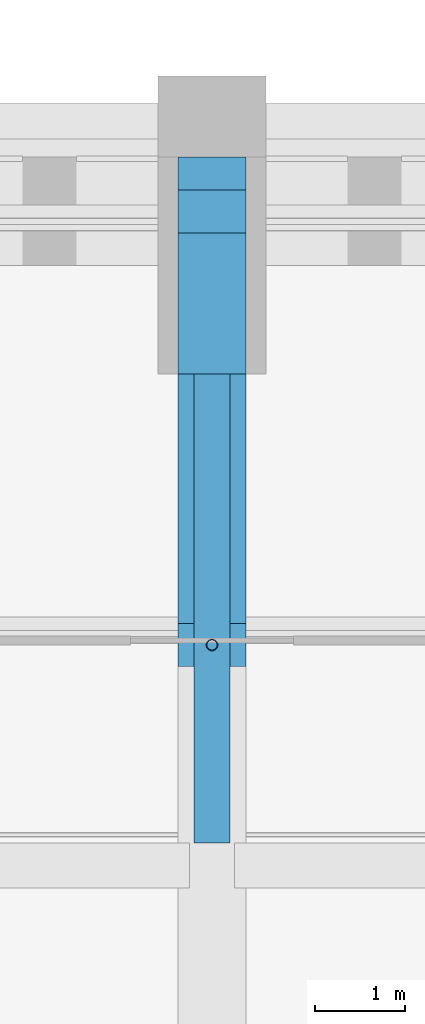
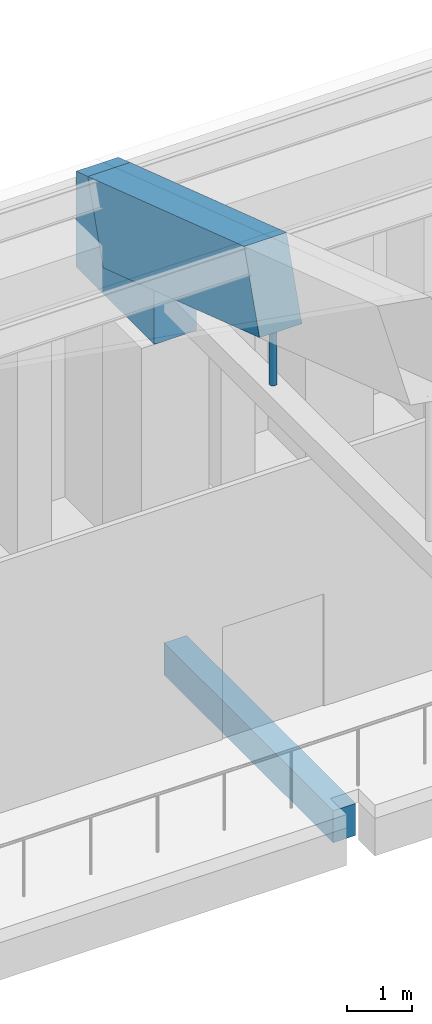
# One storey, part 49 of 149: 2 beams, 2 members.
"""IFC4 building model written with IfcOpenShell, lengths in metres."""

from ifc_helpers import new_model, si_unit, direction, frame, origin, origin_2d, place, context, subcontext, project, spatial, polyline, rectangle, hollow_circle, outline, extrude, material, material_profile, profile_set, type_object, element, save


model = new_model("IFC4")

# Units and contexts
model_context = context("Model", 3, precision=1e-05, world=origin(), true_north=direction((0.0, 1.0)))
body_context = subcontext(model_context, "Body", "Model", "MODEL_VIEW")
ifc_project = project(units=[si_unit("LENGTHUNIT", "METRE"), si_unit("AREAUNIT", "SQUARE_METRE"), si_unit("VOLUMEUNIT", "CUBIC_METRE"), si_unit("PLANEANGLEUNIT", "RADIAN"), si_unit("MASSUNIT", "GRAM", prefix="KILO")], contexts=[model_context])

# Site, building, storey
site_placement = place(None, origin())
site = spatial("IfcSite", under=ifc_project, at=site_placement, CompositionType="ELEMENT")
building_placement = place(site_placement, origin())
building = spatial("IfcBuilding", under=site, at=building_placement, Name="Alderwick Market Hall", CompositionType="ELEMENT")
storey_placement = place(building_placement, frame((0.0, 0.0, 9.60009765625)))
storey = spatial("IfcBuildingStorey", under=building, at=storey_placement, Name="L01", CompositionType="ELEMENT", Elevation=9.60009765625)

# Beams
ifc_material_1 = material(Name="Concrete 5000 psi (f'c 35 MPa)", Category="concrete")
ifc_material_profile_1 = material_profile(ifc_material_1, rectangle(XDim=0.39990234375, YDim=0.60009765625, at=origin_2d()), Name="RC 400x600")
ifc_profile_set_1 = profile_set([ifc_material_profile_1], Name="Concrete 5000 psi (f'c 35 MPa)")
beam_type_1 = type_object("IfcBeamType", Name="H Gallery beam 400x600", PredefinedType="BEAM", material=ifc_profile_set_1)
beam_1_placement = place(storey_placement, frame((79.199951171875, 106.199951171875, -0.550048828125), z_axis=(0.0, -1.0, 0.0), x_axis=(1.0, 0.0, 0.0)))
element("IfcBeam", 1, at=beam_1_placement, inside=storey, type_object=beam_type_1, Name="Gallery beam N", PredefinedType="BEAM", context=body_context, shape_type="SweptSolid", body=[
    extrude(rectangle(XDim=0.39990234375, YDim=0.60009765625, at=origin_2d()), origin(), (0.0, 0.0, 1.0), 5.18994140625),
])
ifc_material_profile_2 = material_profile(ifc_material_1, rectangle(XDim=0.75, YDim=1.5, at=origin_2d()), Name="RC 750x1500")
ifc_profile_set_2 = profile_set([ifc_material_profile_2], Name="Concrete 5000 psi (f'c 35 MPa)")
beam_type_2 = type_object("IfcBeamType", Name="R Arch Rib Springing 750x1500", PredefinedType="BEAM", material=ifc_profile_set_2)
beam_2_placement = place(storey_placement, frame((79.199951171875, 103.199951171875, 8.199951171875), z_axis=(0.0, 0.948678472761, -0.316242241517), x_axis=(-1.0, 0.0, 0.0)))
element("IfcBeam", 2, at=beam_2_placement, inside=storey, type_object=beam_type_2, Name="Arch rib 3 chord 12", PredefinedType="BEAM", context=body_context, shape_type="SweptSolid", body=[
    extrude(rectangle(XDim=0.75, YDim=1.5, at=origin_2d()), origin(), (0.0, 0.0, 1.0), 5.059814453125),
])

# Members
ifc_material_2 = material(Name="Steel ASTM A500 Grade C", Category="steel")
ifc_material_profile_3 = material_profile(ifc_material_2, hollow_circle(Radius=0.0634765625, WallThickness=0.005859375, at=origin_2d()), Name="HSS5.000x0.250")
ifc_profile_set_3 = profile_set([ifc_material_profile_3], Name="Steel ASTM A500 Grade C")
member_type_1 = type_object("IfcMemberType", Name="R Hanger HSS5.000x0.250", PredefinedType="POST", material=ifc_profile_set_3)
member_1_placement = place(storey_placement, frame((79.199951171875, 103.199951171875, 6.35302734375), z_axis=(0.0, 0.0, 1.0), x_axis=(1.0, 0.0, 0.0)))
element("IfcMember", 3, at=member_1_placement, inside=storey, type_object=member_type_1, Name="Arch hanger 3.11", PredefinedType="POST", context=body_context, shape_type="SweptSolid", body=[
    extrude(hollow_circle(Radius=0.0634765625, WallThickness=0.005859375, at=origin_2d()), origin(), (0.0, 0.0, 1.0), 1.03515625),
])
ifc_material_profile_4 = material_profile(ifc_material_1, outline(polyline([(0.0, 0.0), (-2.39990234375, 0.0), (-2.39990234375, 1.009521484375), (-0.837158203125, 0.488525390625), (-0.36279296875, 1.91162109375), (0.0, 1.79052734375), (0.0, 0.0)])), Name="RC skewback N")
ifc_profile_set_4 = profile_set([ifc_material_profile_4], Name="Concrete 5000 psi (f'c 35 MPa)")
member_type_2 = type_object("IfcMemberType", Name="R Springing Skewback North", PredefinedType="MEMBER", material=ifc_profile_set_4)
member_2_placement = place(storey_placement, frame((78.824951171875, 108.60009765625, 5.39990234375), z_axis=(1.0, 0.0, 0.0), x_axis=(0.0, 1.0, 0.0)))
element("IfcMember", 4, at=member_2_placement, inside=storey, type_object=member_type_2, Name="Springing skewback N3", PredefinedType="MEMBER", context=body_context, shape_type="SweptSolid", body=[
    extrude(outline(polyline([(0.0, 0.0), (-2.39990234375, 0.0), (-2.39990234375, 1.009521484375), (-0.837158203125, 0.488525390625), (-0.36279296875, 1.91162109375), (0.0, 1.79052734375), (0.0, 0.0)])), origin(), (0.0, 0.0, 1.0), 0.75),
])

save(model, "model.ifc")
